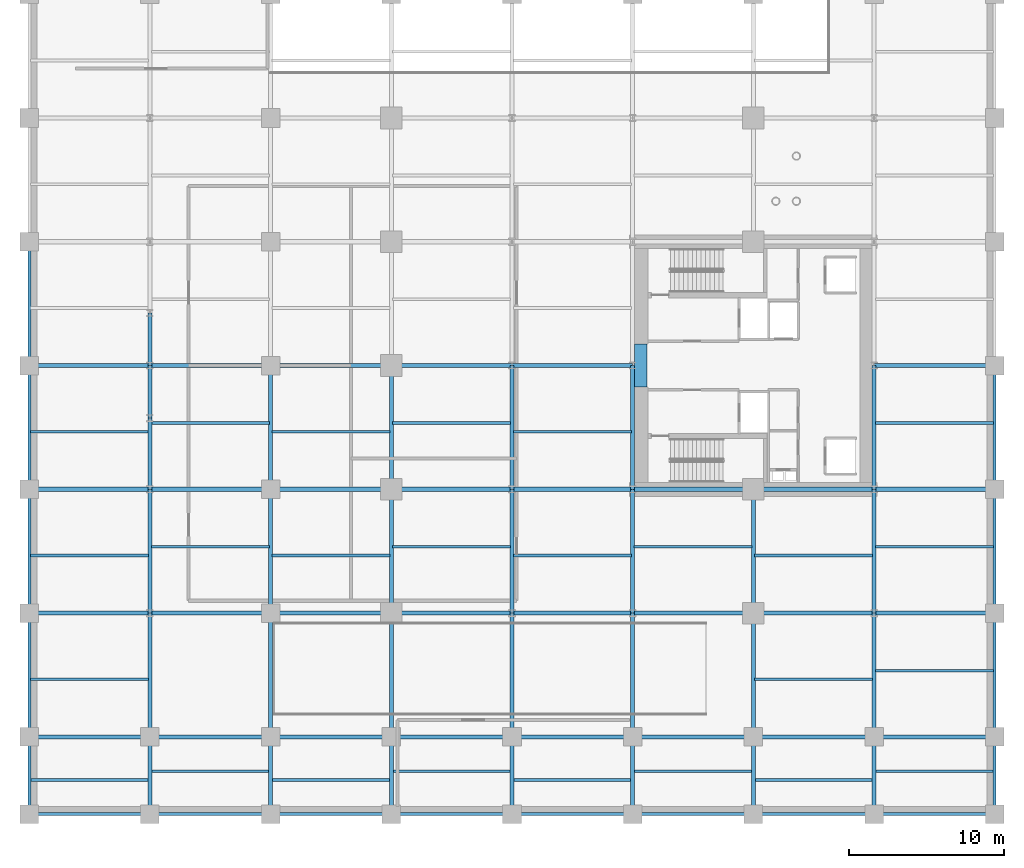
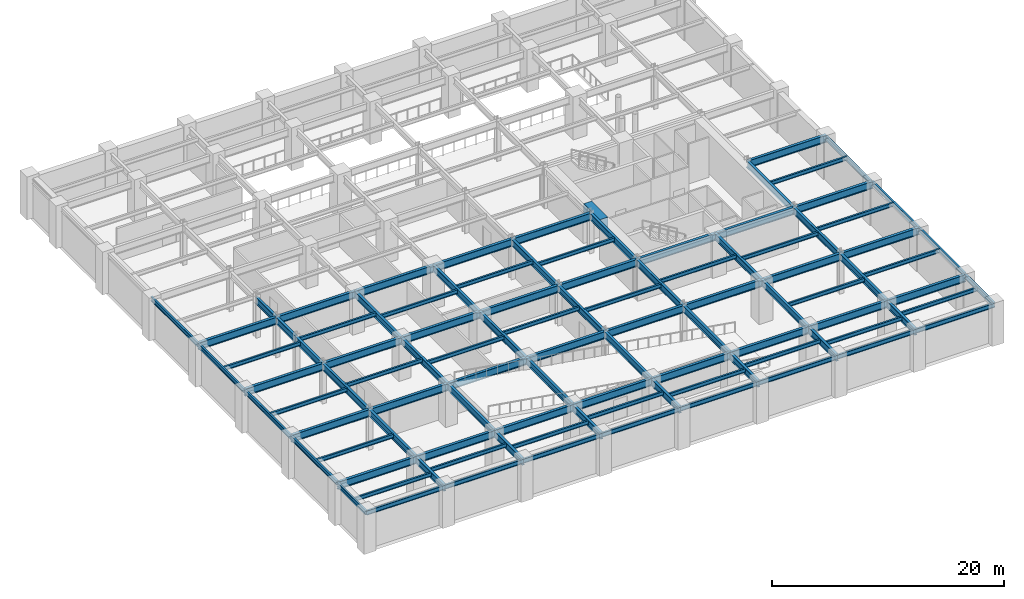
# One storey, part 3 of 10: 102 beams.
"""IFC4 building model written with IfcOpenShell, lengths in metres."""

from ifc_helpers import new_model, si_unit, direction, frame, origin, origin_2d, place, context, subcontext, project, spatial, rectangle, i_section, extrude, material, material_profile, profile_set, type_object, element, save


model = new_model("IFC4")

# Units and contexts
model_context = context("Model", 3, precision=1e-05, world=origin(), true_north=direction((0.0, 1.0)))
body_context = subcontext(model_context, "Body", "Model", "MODEL_VIEW")
ifc_project = project(units=[si_unit("LENGTHUNIT", "METRE"), si_unit("AREAUNIT", "SQUARE_METRE"), si_unit("VOLUMEUNIT", "CUBIC_METRE"), si_unit("PLANEANGLEUNIT", "RADIAN"), si_unit("MASSUNIT", "GRAM", prefix="KILO")], contexts=[model_context])

# Site, building, storey
site_placement = place(None, origin())
site = spatial("IfcSite", under=ifc_project, at=site_placement, CompositionType="ELEMENT")
building_placement = place(site_placement, origin())
building = spatial("IfcBuilding", under=site, at=building_placement, Name="Veymaron Broadcast Tower", CompositionType="ELEMENT")
storey_placement = place(building_placement, frame((0.0, 0.0, -4.5)))
storey = spatial("IfcBuildingStorey", under=building, at=storey_placement, Name="B1", CompositionType="ELEMENT", Elevation=-4.5)

# Beams
ifc_material_1 = material(Name="Concrete C70/85", Category="concrete")
ifc_material_profile_1 = material_profile(ifc_material_1, rectangle(XDim=0.800048828125, YDim=1.10009765625, at=origin_2d()), Name="RC800X1100")
ifc_profile_set_1 = profile_set([ifc_material_profile_1], Name="Concrete C70/85")
beam_type_1 = type_object("IfcBeamType", Name="BM-CB1", PredefinedType="LINTEL", material=ifc_profile_set_1)
beam_1_placement = place(storey_placement, frame((39.530029296875, 22.60009765625, 3.6298828125), z_axis=(0.0, 1.0, 0.0), x_axis=(-1.0, 0.0, 0.0)))
element("IfcBeam", 1, at=beam_1_placement, inside=storey, type_object=beam_type_1, Name="B1 Core Wall west coupling beam", PredefinedType="LINTEL", context=body_context, shape_type="SweptSolid", body=[
    extrude(rectangle(XDim=0.800048828125, YDim=1.10009765625, at=origin_2d()), origin(), (0.0, 0.0, 1.0), 2.7998046875),
])
ifc_material_2 = material(Name="Structural steel ASTM A992 Gr 50", Category="steel")
ifc_material_profile_2 = material_profile(ifc_material_2, i_section(OverallWidth=0.177978515625, OverallDepth=0.406982421875, WebThickness=0.0078125, FlangeThickness=0.0126953125, at=origin_2d()), Name="W410X60")
ifc_profile_set_2 = profile_set([ifc_material_profile_2], Name="Structural steel ASTM A992 Gr 50")
beam_type_2 = type_object("IfcBeamType", Name="BM-JS1", PredefinedType="JOIST", material=ifc_profile_set_2)
for number, where, z_axis, x_axis, name in (
    (2, (0.0849609375, -2.780029296875, 3.87646484375), (1.0, 0.0, 0.0), (0.0, 1.0, 0.0), "B1 podium secondary floor joist"),
    (3, (0.0849609375, 3.719970703125, 3.9765625), (1.0, 0.0, 0.0), (0.0, 1.0, 0.0), "B1 podium secondary floor joist"),
    (4, (0.0849609375, 11.719970703125, 3.9765625), (1.0, 0.0, 0.0), (0.0, 1.0, 0.0), "B1 podium secondary floor joist"),
    (5, (0.0849609375, 19.719970703125, 3.9765625), (1.0, 0.0, 0.0), (0.0, 1.0, 0.0), "B1 podium secondary floor joist"),
):
    element("IfcBeam", number, at=place(storey_placement, frame(where, z_axis=z_axis, x_axis=x_axis)), inside=storey, type_object=beam_type_2, Name=name, PredefinedType="JOIST", context=body_context, shape_type="SweptSolid", body=[
        extrude(i_section(OverallWidth=0.177978515625, OverallDepth=0.406982421875, WebThickness=0.0078125, FlangeThickness=0.0126953125, at=origin_2d()), origin(), (0.0, 0.0, 1.0), 7.630126953125),
    ])
for number, where, z_axis, x_axis, name in (
    (6, (7.885009765625, -2.219970703125, 3.87646484375), (1.0, 0.0, 0.0), (0.0, 1.0, 0.0), "B1 podium secondary floor joist"),
    (7, (7.885009765625, 12.280029296875, 3.9765625), (1.0, 0.0, 0.0), (0.0, 1.0, 0.0), "B1 podium secondary floor joist"),
    (8, (7.885009765625, 20.280029296875, 3.9765625), (1.0, 0.0, 0.0), (0.0, 1.0, 0.0), "B1 podium secondary floor joist"),
    (9, (15.68505859375, -2.780029296875, 3.87646484375), (1.0, 0.0, 0.0), (0.0, 1.0, 0.0), "B1 podium secondary floor joist"),
    (10, (15.68505859375, 11.719970703125, 3.9765625), (1.0, 0.0, 0.0), (0.0, 1.0, 0.0), "B1 podium secondary floor joist"),
    (11, (15.68505859375, 19.719970703125, 3.9765625), (1.0, 0.0, 0.0), (0.0, 1.0, 0.0), "B1 podium secondary floor joist"),
    (12, (23.485107421875, -2.219970703125, 3.87646484375), (1.0, 0.0, 0.0), (0.0, 1.0, 0.0), "B1 podium secondary floor joist"),
    (13, (23.485107421875, 12.280029296875, 3.9765625), (1.0, 0.0, 0.0), (0.0, 1.0, 0.0), "B1 podium secondary floor joist"),
    (14, (23.485107421875, 20.280029296875, 3.9765625), (1.0, 0.0, 0.0), (0.0, 1.0, 0.0), "B1 podium secondary floor joist"),
):
    element("IfcBeam", number, at=place(storey_placement, frame(where, z_axis=z_axis, x_axis=x_axis)), inside=storey, type_object=beam_type_2, Name=name, PredefinedType="JOIST", context=body_context, shape_type="SweptSolid", body=[
        extrude(i_section(OverallWidth=0.177978515625, OverallDepth=0.406982421875, WebThickness=0.0078125, FlangeThickness=0.0126953125, at=origin_2d()), origin(), (0.0, 0.0, 1.0), 7.6298828125),
    ])
for number, where, z_axis, x_axis, name in (
    (15, (31.284912109375, -2.780029296875, 3.87646484375), (1.0, 0.0, 0.0), (0.0, 1.0, 0.0), "B1 podium secondary floor joist"),
    (16, (31.284912109375, 11.719970703125, 3.9765625), (1.0, 0.0, 0.0), (0.0, 1.0, 0.0), "B1 podium secondary floor joist"),
    (17, (31.284912109375, 19.719970703125, 3.9765625), (1.0, 0.0, 0.0), (0.0, 1.0, 0.0), "B1 podium secondary floor joist"),
    (18, (39.0849609375, -2.219970703125, 3.87646484375), (1.0, 0.0, 0.0), (0.0, 1.0, 0.0), "B1 podium secondary floor joist"),
    (19, (39.0849609375, 12.280029296875, 3.9765625), (1.0, 0.0, 0.0), (0.0, 1.0, 0.0), "B1 podium secondary floor joist"),
):
    element("IfcBeam", number, at=place(storey_placement, frame(where, z_axis=z_axis, x_axis=x_axis)), inside=storey, type_object=beam_type_2, Name=name, PredefinedType="JOIST", context=body_context, shape_type="SweptSolid", body=[
        extrude(i_section(OverallWidth=0.177978515625, OverallDepth=0.406982421875, WebThickness=0.0078125, FlangeThickness=0.0126953125, at=origin_2d()), origin(), (0.0, 0.0, 1.0), 7.630126953125),
    ])
for number, where, z_axis, x_axis, name in (
    (20, (46.885009765625, -2.780029296875, 3.87646484375), (1.0, 0.0, 0.0), (0.0, 1.0, 0.0), "B1 podium secondary floor joist"),
    (21, (46.885009765625, 3.719970703125, 3.9765625), (1.0, 0.0, 0.0), (0.0, 1.0, 0.0), "B1 podium secondary floor joist"),
    (22, (46.885009765625, 11.719970703125, 3.9765625), (1.0, 0.0, 0.0), (0.0, 1.0, 0.0), "B1 podium secondary floor joist"),
    (23, (54.68505859375, -2.219970703125, 3.87646484375), (1.0, 0.0, 0.0), (0.0, 1.0, 0.0), "B1 podium secondary floor joist"),
    (24, (54.68505859375, 4.280029296875, 3.9765625), (1.0, 0.0, 0.0), (0.0, 1.0, 0.0), "B1 podium secondary floor joist"),
    (25, (54.68505859375, 12.280029296875, 3.9765625), (1.0, 0.0, 0.0), (0.0, 1.0, 0.0), "B1 podium secondary floor joist"),
    (26, (54.68505859375, 20.280029296875, 3.9765625), (1.0, 0.0, 0.0), (0.0, 1.0, 0.0), "B1 podium secondary floor joist"),
):
    element("IfcBeam", number, at=place(storey_placement, frame(where, z_axis=z_axis, x_axis=x_axis)), inside=storey, type_object=beam_type_2, Name=name, PredefinedType="JOIST", context=body_context, shape_type="SweptSolid", body=[
        extrude(i_section(OverallWidth=0.177978515625, OverallDepth=0.406982421875, WebThickness=0.0078125, FlangeThickness=0.0126953125, at=origin_2d()), origin(), (0.0, 0.0, 1.0), 7.6298828125),
    ])
ifc_material_profile_3 = material_profile(ifc_material_2, i_section(OverallWidth=0.26806640625, OverallDepth=0.77001953125, WebThickness=0.015625, FlangeThickness=0.025390625, at=origin_2d()), Name="W760X196")
ifc_profile_set_3 = profile_set([ifc_material_profile_3], Name="Structural steel ASTM A992 Gr 50")
beam_type_3 = type_object("IfcBeamType", Name="BM-PG1", PredefinedType="BEAM", material=ifc_profile_set_3)
for number, where, z_axis, x_axis, name in (
    (27, (0.0, 0.0, 3.695068359375), (1.0, 0.0, 0.0), (0.0, 1.0, 0.0), "B1 podium primary X-girder"),
    (28, (7.800048828125, 0.0, 3.695068359375), (1.0, 0.0, 0.0), (0.0, 1.0, 0.0), "B1 podium primary X-girder"),
):
    element("IfcBeam", number, at=place(storey_placement, frame(where, z_axis=z_axis, x_axis=x_axis)), inside=storey, type_object=beam_type_3, Name=name, PredefinedType="BEAM", context=body_context, shape_type="SweptSolid", body=[
        extrude(i_section(OverallWidth=0.26806640625, OverallDepth=0.77001953125, WebThickness=0.015625, FlangeThickness=0.025390625, at=origin_2d()), origin(), (0.0, 0.0, 1.0), 7.800048828125),
    ])
beam_2_placement = place(storey_placement, frame((15.60009765625, 0.0, 3.695068359375), z_axis=(1.0, 0.0, 0.0), x_axis=(0.0, 1.0, 0.0)))
element("IfcBeam", 29, at=beam_2_placement, inside=storey, type_object=beam_type_3, Name="B1 podium primary X-girder", PredefinedType="BEAM", context=body_context, shape_type="SweptSolid", body=[
    extrude(i_section(OverallWidth=0.26806640625, OverallDepth=0.77001953125, WebThickness=0.015625, FlangeThickness=0.025390625, at=origin_2d()), origin(), (0.0, 0.0, 1.0), 7.7998046875),
])
for number, where, z_axis, x_axis, name in (
    (30, (23.39990234375, 0.0, 3.695068359375), (1.0, 0.0, 0.0), (0.0, 1.0, 0.0), "B1 podium primary X-girder"),
    (31, (31.199951171875, 0.0, 3.695068359375), (1.0, 0.0, 0.0), (0.0, 1.0, 0.0), "B1 podium primary X-girder"),
    (32, (39.0, 0.0, 3.695068359375), (1.0, 0.0, 0.0), (0.0, 1.0, 0.0), "B1 podium primary X-girder"),
    (33, (46.800048828125, 0.0, 3.695068359375), (1.0, 0.0, 0.0), (0.0, 1.0, 0.0), "B1 podium primary X-girder"),
):
    element("IfcBeam", number, at=place(storey_placement, frame(where, z_axis=z_axis, x_axis=x_axis)), inside=storey, type_object=beam_type_3, Name=name, PredefinedType="BEAM", context=body_context, shape_type="SweptSolid", body=[
        extrude(i_section(OverallWidth=0.26806640625, OverallDepth=0.77001953125, WebThickness=0.015625, FlangeThickness=0.025390625, at=origin_2d()), origin(), (0.0, 0.0, 1.0), 7.800048828125),
    ])
beam_3_placement = place(storey_placement, frame((54.60009765625, 0.0, 3.695068359375), z_axis=(1.0, 0.0, 0.0), x_axis=(0.0, 1.0, 0.0)))
element("IfcBeam", 34, at=beam_3_placement, inside=storey, type_object=beam_type_3, Name="B1 podium primary X-girder", PredefinedType="BEAM", context=body_context, shape_type="SweptSolid", body=[
    extrude(i_section(OverallWidth=0.26806640625, OverallDepth=0.77001953125, WebThickness=0.015625, FlangeThickness=0.025390625, at=origin_2d()), origin(), (0.0, 0.0, 1.0), 7.7998046875),
])
for number, where, z_axis, x_axis, name in (
    (35, (0.0, 8.0, 3.794921875), (1.0, 0.0, 0.0), (0.0, 1.0, 0.0), "B1 podium primary X-girder"),
    (36, (7.800048828125, 8.0, 3.794921875), (1.0, 0.0, 0.0), (0.0, 1.0, 0.0), "B1 podium primary X-girder"),
):
    element("IfcBeam", number, at=place(storey_placement, frame(where, z_axis=z_axis, x_axis=x_axis)), inside=storey, type_object=beam_type_3, Name=name, PredefinedType="BEAM", context=body_context, shape_type="SweptSolid", body=[
        extrude(i_section(OverallWidth=0.26806640625, OverallDepth=0.77001953125, WebThickness=0.015625, FlangeThickness=0.025390625, at=origin_2d()), origin(), (0.0, 0.0, 1.0), 7.800048828125),
    ])
beam_4_placement = place(storey_placement, frame((15.60009765625, 8.0, 3.794921875), z_axis=(1.0, 0.0, 0.0), x_axis=(0.0, 1.0, 0.0)))
element("IfcBeam", 37, at=beam_4_placement, inside=storey, type_object=beam_type_3, Name="B1 podium primary X-girder", PredefinedType="BEAM", context=body_context, shape_type="SweptSolid", body=[
    extrude(i_section(OverallWidth=0.26806640625, OverallDepth=0.77001953125, WebThickness=0.015625, FlangeThickness=0.025390625, at=origin_2d()), origin(), (0.0, 0.0, 1.0), 7.7998046875),
])
for number, where, z_axis, x_axis, name in (
    (38, (23.39990234375, 8.0, 3.794921875), (1.0, 0.0, 0.0), (0.0, 1.0, 0.0), "B1 podium primary X-girder"),
    (39, (31.199951171875, 8.0, 3.794921875), (1.0, 0.0, 0.0), (0.0, 1.0, 0.0), "B1 podium primary X-girder"),
    (40, (39.0, 8.0, 3.794921875), (1.0, 0.0, 0.0), (0.0, 1.0, 0.0), "B1 podium primary X-girder"),
    (41, (46.800048828125, 8.0, 3.794921875), (1.0, 0.0, 0.0), (0.0, 1.0, 0.0), "B1 podium primary X-girder"),
):
    element("IfcBeam", number, at=place(storey_placement, frame(where, z_axis=z_axis, x_axis=x_axis)), inside=storey, type_object=beam_type_3, Name=name, PredefinedType="BEAM", context=body_context, shape_type="SweptSolid", body=[
        extrude(i_section(OverallWidth=0.26806640625, OverallDepth=0.77001953125, WebThickness=0.015625, FlangeThickness=0.025390625, at=origin_2d()), origin(), (0.0, 0.0, 1.0), 7.800048828125),
    ])
beam_5_placement = place(storey_placement, frame((54.60009765625, 8.0, 3.794921875), z_axis=(1.0, 0.0, 0.0), x_axis=(0.0, 1.0, 0.0)))
element("IfcBeam", 42, at=beam_5_placement, inside=storey, type_object=beam_type_3, Name="B1 podium primary X-girder", PredefinedType="BEAM", context=body_context, shape_type="SweptSolid", body=[
    extrude(i_section(OverallWidth=0.26806640625, OverallDepth=0.77001953125, WebThickness=0.015625, FlangeThickness=0.025390625, at=origin_2d()), origin(), (0.0, 0.0, 1.0), 7.7998046875),
])
for number, where, z_axis, x_axis, name in (
    (43, (0.0, 16.0, 3.794921875), (1.0, 0.0, 0.0), (0.0, 1.0, 0.0), "B1 podium primary X-girder"),
    (44, (7.800048828125, 16.0, 3.794921875), (1.0, 0.0, 0.0), (0.0, 1.0, 0.0), "B1 podium primary X-girder"),
):
    element("IfcBeam", number, at=place(storey_placement, frame(where, z_axis=z_axis, x_axis=x_axis)), inside=storey, type_object=beam_type_3, Name=name, PredefinedType="BEAM", context=body_context, shape_type="SweptSolid", body=[
        extrude(i_section(OverallWidth=0.26806640625, OverallDepth=0.77001953125, WebThickness=0.015625, FlangeThickness=0.025390625, at=origin_2d()), origin(), (0.0, 0.0, 1.0), 7.800048828125),
    ])
beam_6_placement = place(storey_placement, frame((15.60009765625, 16.0, 3.794921875), z_axis=(1.0, 0.0, 0.0), x_axis=(0.0, 1.0, 0.0)))
element("IfcBeam", 45, at=beam_6_placement, inside=storey, type_object=beam_type_3, Name="B1 podium primary X-girder", PredefinedType="BEAM", context=body_context, shape_type="SweptSolid", body=[
    extrude(i_section(OverallWidth=0.26806640625, OverallDepth=0.77001953125, WebThickness=0.015625, FlangeThickness=0.025390625, at=origin_2d()), origin(), (0.0, 0.0, 1.0), 7.7998046875),
])
for number, where, z_axis, x_axis, name in (
    (46, (23.39990234375, 16.0, 3.794921875), (1.0, 0.0, 0.0), (0.0, 1.0, 0.0), "B1 podium primary X-girder"),
    (47, (31.199951171875, 16.0, 3.794921875), (1.0, 0.0, 0.0), (0.0, 1.0, 0.0), "B1 podium primary X-girder"),
    (48, (39.0, 16.0, 3.794921875), (1.0, 0.0, 0.0), (0.0, 1.0, 0.0), "B1 podium primary X-girder"),
    (49, (46.800048828125, 16.0, 3.794921875), (1.0, 0.0, 0.0), (0.0, 1.0, 0.0), "B1 podium primary X-girder"),
):
    element("IfcBeam", number, at=place(storey_placement, frame(where, z_axis=z_axis, x_axis=x_axis)), inside=storey, type_object=beam_type_3, Name=name, PredefinedType="BEAM", context=body_context, shape_type="SweptSolid", body=[
        extrude(i_section(OverallWidth=0.26806640625, OverallDepth=0.77001953125, WebThickness=0.015625, FlangeThickness=0.025390625, at=origin_2d()), origin(), (0.0, 0.0, 1.0), 7.800048828125),
    ])
beam_7_placement = place(storey_placement, frame((54.60009765625, 16.0, 3.794921875), z_axis=(1.0, 0.0, 0.0), x_axis=(0.0, 1.0, 0.0)))
element("IfcBeam", 50, at=beam_7_placement, inside=storey, type_object=beam_type_3, Name="B1 podium primary X-girder", PredefinedType="BEAM", context=body_context, shape_type="SweptSolid", body=[
    extrude(i_section(OverallWidth=0.26806640625, OverallDepth=0.77001953125, WebThickness=0.015625, FlangeThickness=0.025390625, at=origin_2d()), origin(), (0.0, 0.0, 1.0), 7.7998046875),
])
for number, where, z_axis, x_axis, name in (
    (51, (0.0, 24.0, 3.794921875), (1.0, 0.0, 0.0), (0.0, 1.0, 0.0), "B1 podium primary X-girder"),
    (52, (7.800048828125, 24.0, 3.794921875), (1.0, 0.0, 0.0), (0.0, 1.0, 0.0), "B1 podium primary X-girder"),
):
    element("IfcBeam", number, at=place(storey_placement, frame(where, z_axis=z_axis, x_axis=x_axis)), inside=storey, type_object=beam_type_3, Name=name, PredefinedType="BEAM", context=body_context, shape_type="SweptSolid", body=[
        extrude(i_section(OverallWidth=0.26806640625, OverallDepth=0.77001953125, WebThickness=0.015625, FlangeThickness=0.025390625, at=origin_2d()), origin(), (0.0, 0.0, 1.0), 7.800048828125),
    ])
beam_8_placement = place(storey_placement, frame((15.60009765625, 24.0, 3.794921875), z_axis=(1.0, 0.0, 0.0), x_axis=(0.0, 1.0, 0.0)))
element("IfcBeam", 53, at=beam_8_placement, inside=storey, type_object=beam_type_3, Name="B1 podium primary X-girder", PredefinedType="BEAM", context=body_context, shape_type="SweptSolid", body=[
    extrude(i_section(OverallWidth=0.26806640625, OverallDepth=0.77001953125, WebThickness=0.015625, FlangeThickness=0.025390625, at=origin_2d()), origin(), (0.0, 0.0, 1.0), 7.7998046875),
])
for number, where, z_axis, x_axis, name in (
    (54, (23.39990234375, 24.0, 3.794921875), (1.0, 0.0, 0.0), (0.0, 1.0, 0.0), "B1 podium primary X-girder"),
    (55, (31.199951171875, 24.0, 3.794921875), (1.0, 0.0, 0.0), (0.0, 1.0, 0.0), "B1 podium primary X-girder"),
):
    element("IfcBeam", number, at=place(storey_placement, frame(where, z_axis=z_axis, x_axis=x_axis)), inside=storey, type_object=beam_type_3, Name=name, PredefinedType="BEAM", context=body_context, shape_type="SweptSolid", body=[
        extrude(i_section(OverallWidth=0.26806640625, OverallDepth=0.77001953125, WebThickness=0.015625, FlangeThickness=0.025390625, at=origin_2d()), origin(), (0.0, 0.0, 1.0), 7.800048828125),
    ])
beam_9_placement = place(storey_placement, frame((54.60009765625, 24.0, 3.794921875), z_axis=(1.0, 0.0, 0.0), x_axis=(0.0, 1.0, 0.0)))
element("IfcBeam", 56, at=beam_9_placement, inside=storey, type_object=beam_type_3, Name="B1 podium primary X-girder", PredefinedType="BEAM", context=body_context, shape_type="SweptSolid", body=[
    extrude(i_section(OverallWidth=0.26806640625, OverallDepth=0.77001953125, WebThickness=0.015625, FlangeThickness=0.025390625, at=origin_2d()), origin(), (0.0, 0.0, 1.0), 7.7998046875),
])
ifc_material_profile_4 = material_profile(ifc_material_2, i_section(OverallWidth=0.256103515625, OverallDepth=0.693115234375, WebThickness=0.014404296875, FlangeThickness=0.023681640625, at=origin_2d()), Name="W690X170")
ifc_profile_set_4 = profile_set([ifc_material_profile_4], Name="Structural steel ASTM A992 Gr 50")
beam_type_4 = type_object("IfcBeamType", Name="BM-PG2", PredefinedType="BEAM", material=ifc_profile_set_4)
beam_10_placement = place(storey_placement, frame((7.800048828125, -5.0, 3.7333984375), z_axis=(0.0, 1.0, 0.0), x_axis=(-1.0, 0.0, 0.0)))
element("IfcBeam", 57, at=beam_10_placement, inside=storey, type_object=beam_type_4, Name="B1 podium primary Y-girder", PredefinedType="BEAM", context=body_context, shape_type="SweptSolid", body=[
    extrude(i_section(OverallWidth=0.256103515625, OverallDepth=0.693115234375, WebThickness=0.014404296875, FlangeThickness=0.023681640625, at=origin_2d()), origin(), (0.0, 0.0, 1.0), 5.0),
])
for number, where, z_axis, x_axis, name in (
    (58, (7.800048828125, 0.0, 3.83349609375), (0.0, 1.0, 0.0), (-1.0, 0.0, 0.0), "B1 podium primary Y-girder"),
    (59, (7.800048828125, 8.0, 3.83349609375), (0.0, 1.0, 0.0), (-1.0, 0.0, 0.0), "B1 podium primary Y-girder"),
):
    element("IfcBeam", number, at=place(storey_placement, frame(where, z_axis=z_axis, x_axis=x_axis)), inside=storey, type_object=beam_type_4, Name=name, PredefinedType="BEAM", context=body_context, shape_type="SweptSolid", body=[
        extrude(i_section(OverallWidth=0.256103515625, OverallDepth=0.693115234375, WebThickness=0.014404296875, FlangeThickness=0.023681640625, at=origin_2d()), origin(), (0.0, 0.0, 1.0), 8.0),
    ])
beam_11_placement = place(storey_placement, frame((7.800048828125, 16.0, 3.83349609375), z_axis=(0.0, 1.0, 0.0), x_axis=(-1.0, 0.0, 0.0)))
element("IfcBeam", 60, at=beam_11_placement, inside=storey, type_object=beam_type_4, Name="B1 podium primary Y-girder", PredefinedType="BEAM", context=body_context, shape_type="SweptSolid", body=[
    extrude(i_section(OverallWidth=0.256103515625, OverallDepth=0.693115234375, WebThickness=0.014404296875, FlangeThickness=0.023681640625, at=origin_2d()), origin(), (0.0, 0.0, 1.0), 4.60009765625),
])
for number, where, z_axis, x_axis, name in (
    (61, (7.800048828125, 20.60009765625, 3.83349609375), (0.0, 1.0, 0.0), (-1.0, 0.0, 0.0), "B1 podium primary Y-girder"),
    (62, (7.800048828125, 24.0, 3.83349609375), (0.0, 1.0, 0.0), (-1.0, 0.0, 0.0), "B1 podium primary Y-girder"),
):
    element("IfcBeam", number, at=place(storey_placement, frame(where, z_axis=z_axis, x_axis=x_axis)), inside=storey, type_object=beam_type_4, Name=name, PredefinedType="BEAM", context=body_context, shape_type="SweptSolid", body=[
        extrude(i_section(OverallWidth=0.256103515625, OverallDepth=0.693115234375, WebThickness=0.014404296875, FlangeThickness=0.023681640625, at=origin_2d()), origin(), (0.0, 0.0, 1.0), 3.39990234375),
    ])
beam_12_placement = place(storey_placement, frame((15.60009765625, -5.0, 3.7333984375), z_axis=(0.0, 1.0, 0.0), x_axis=(-1.0, 0.0, 0.0)))
element("IfcBeam", 63, at=beam_12_placement, inside=storey, type_object=beam_type_4, Name="B1 podium primary Y-girder", PredefinedType="BEAM", context=body_context, shape_type="SweptSolid", body=[
    extrude(i_section(OverallWidth=0.256103515625, OverallDepth=0.693115234375, WebThickness=0.014404296875, FlangeThickness=0.023681640625, at=origin_2d()), origin(), (0.0, 0.0, 1.0), 5.0),
])
for number, where, z_axis, x_axis, name in (
    (64, (15.60009765625, 0.0, 3.83349609375), (0.0, 1.0, 0.0), (-1.0, 0.0, 0.0), "B1 podium primary Y-girder"),
    (65, (15.60009765625, 8.0, 3.83349609375), (0.0, 1.0, 0.0), (-1.0, 0.0, 0.0), "B1 podium primary Y-girder"),
    (66, (15.60009765625, 16.0, 3.83349609375), (0.0, 1.0, 0.0), (-1.0, 0.0, 0.0), "B1 podium primary Y-girder"),
):
    element("IfcBeam", number, at=place(storey_placement, frame(where, z_axis=z_axis, x_axis=x_axis)), inside=storey, type_object=beam_type_4, Name=name, PredefinedType="BEAM", context=body_context, shape_type="SweptSolid", body=[
        extrude(i_section(OverallWidth=0.256103515625, OverallDepth=0.693115234375, WebThickness=0.014404296875, FlangeThickness=0.023681640625, at=origin_2d()), origin(), (0.0, 0.0, 1.0), 8.0),
    ])
beam_13_placement = place(storey_placement, frame((23.39990234375, -5.0, 3.7333984375), z_axis=(0.0, 1.0, 0.0), x_axis=(-1.0, 0.0, 0.0)))
element("IfcBeam", 67, at=beam_13_placement, inside=storey, type_object=beam_type_4, Name="B1 podium primary Y-girder", PredefinedType="BEAM", context=body_context, shape_type="SweptSolid", body=[
    extrude(i_section(OverallWidth=0.256103515625, OverallDepth=0.693115234375, WebThickness=0.014404296875, FlangeThickness=0.023681640625, at=origin_2d()), origin(), (0.0, 0.0, 1.0), 5.0),
])
for number, where, z_axis, x_axis, name in (
    (68, (23.39990234375, 0.0, 3.83349609375), (0.0, 1.0, 0.0), (-1.0, 0.0, 0.0), "B1 podium primary Y-girder"),
    (69, (23.39990234375, 8.0, 3.83349609375), (0.0, 1.0, 0.0), (-1.0, 0.0, 0.0), "B1 podium primary Y-girder"),
    (70, (23.39990234375, 16.0, 3.83349609375), (0.0, 1.0, 0.0), (-1.0, 0.0, 0.0), "B1 podium primary Y-girder"),
):
    element("IfcBeam", number, at=place(storey_placement, frame(where, z_axis=z_axis, x_axis=x_axis)), inside=storey, type_object=beam_type_4, Name=name, PredefinedType="BEAM", context=body_context, shape_type="SweptSolid", body=[
        extrude(i_section(OverallWidth=0.256103515625, OverallDepth=0.693115234375, WebThickness=0.014404296875, FlangeThickness=0.023681640625, at=origin_2d()), origin(), (0.0, 0.0, 1.0), 8.0),
    ])
beam_14_placement = place(storey_placement, frame((31.199951171875, -5.0, 3.7333984375), z_axis=(0.0, 1.0, 0.0), x_axis=(-1.0, 0.0, 0.0)))
element("IfcBeam", 71, at=beam_14_placement, inside=storey, type_object=beam_type_4, Name="B1 podium primary Y-girder", PredefinedType="BEAM", context=body_context, shape_type="SweptSolid", body=[
    extrude(i_section(OverallWidth=0.256103515625, OverallDepth=0.693115234375, WebThickness=0.014404296875, FlangeThickness=0.023681640625, at=origin_2d()), origin(), (0.0, 0.0, 1.0), 5.0),
])
for number, where, z_axis, x_axis, name in (
    (72, (31.199951171875, 0.0, 3.83349609375), (0.0, 1.0, 0.0), (-1.0, 0.0, 0.0), "B1 podium primary Y-girder"),
    (73, (31.199951171875, 8.0, 3.83349609375), (0.0, 1.0, 0.0), (-1.0, 0.0, 0.0), "B1 podium primary Y-girder"),
    (74, (31.199951171875, 16.0, 3.83349609375), (0.0, 1.0, 0.0), (-1.0, 0.0, 0.0), "B1 podium primary Y-girder"),
):
    element("IfcBeam", number, at=place(storey_placement, frame(where, z_axis=z_axis, x_axis=x_axis)), inside=storey, type_object=beam_type_4, Name=name, PredefinedType="BEAM", context=body_context, shape_type="SweptSolid", body=[
        extrude(i_section(OverallWidth=0.256103515625, OverallDepth=0.693115234375, WebThickness=0.014404296875, FlangeThickness=0.023681640625, at=origin_2d()), origin(), (0.0, 0.0, 1.0), 8.0),
    ])
beam_15_placement = place(storey_placement, frame((39.0, -5.0, 3.7333984375), z_axis=(0.0, 1.0, 0.0), x_axis=(-1.0, 0.0, 0.0)))
element("IfcBeam", 75, at=beam_15_placement, inside=storey, type_object=beam_type_4, Name="B1 podium primary Y-girder", PredefinedType="BEAM", context=body_context, shape_type="SweptSolid", body=[
    extrude(i_section(OverallWidth=0.256103515625, OverallDepth=0.693115234375, WebThickness=0.014404296875, FlangeThickness=0.023681640625, at=origin_2d()), origin(), (0.0, 0.0, 1.0), 5.0),
])
for number, where, z_axis, x_axis, name in (
    (76, (39.0, 0.0, 3.83349609375), (0.0, 1.0, 0.0), (-1.0, 0.0, 0.0), "B1 podium primary Y-girder"),
    (77, (39.0, 8.0, 3.83349609375), (0.0, 1.0, 0.0), (-1.0, 0.0, 0.0), "B1 podium primary Y-girder"),
    (78, (39.0, 16.0, 3.83349609375), (0.0, 1.0, 0.0), (-1.0, 0.0, 0.0), "B1 podium primary Y-girder"),
):
    element("IfcBeam", number, at=place(storey_placement, frame(where, z_axis=z_axis, x_axis=x_axis)), inside=storey, type_object=beam_type_4, Name=name, PredefinedType="BEAM", context=body_context, shape_type="SweptSolid", body=[
        extrude(i_section(OverallWidth=0.256103515625, OverallDepth=0.693115234375, WebThickness=0.014404296875, FlangeThickness=0.023681640625, at=origin_2d()), origin(), (0.0, 0.0, 1.0), 8.0),
    ])
beam_16_placement = place(storey_placement, frame((46.800048828125, -5.0, 3.7333984375), z_axis=(0.0, 1.0, 0.0), x_axis=(-1.0, 0.0, 0.0)))
element("IfcBeam", 79, at=beam_16_placement, inside=storey, type_object=beam_type_4, Name="B1 podium primary Y-girder", PredefinedType="BEAM", context=body_context, shape_type="SweptSolid", body=[
    extrude(i_section(OverallWidth=0.256103515625, OverallDepth=0.693115234375, WebThickness=0.014404296875, FlangeThickness=0.023681640625, at=origin_2d()), origin(), (0.0, 0.0, 1.0), 5.0),
])
for number, where, z_axis, x_axis, name in (
    (80, (46.800048828125, 0.0, 3.83349609375), (0.0, 1.0, 0.0), (-1.0, 0.0, 0.0), "B1 podium primary Y-girder"),
    (81, (46.800048828125, 8.0, 3.83349609375), (0.0, 1.0, 0.0), (-1.0, 0.0, 0.0), "B1 podium primary Y-girder"),
):
    element("IfcBeam", number, at=place(storey_placement, frame(where, z_axis=z_axis, x_axis=x_axis)), inside=storey, type_object=beam_type_4, Name=name, PredefinedType="BEAM", context=body_context, shape_type="SweptSolid", body=[
        extrude(i_section(OverallWidth=0.256103515625, OverallDepth=0.693115234375, WebThickness=0.014404296875, FlangeThickness=0.023681640625, at=origin_2d()), origin(), (0.0, 0.0, 1.0), 8.0),
    ])
beam_17_placement = place(storey_placement, frame((54.60009765625, -5.0, 3.7333984375), z_axis=(0.0, 1.0, 0.0), x_axis=(-1.0, 0.0, 0.0)))
element("IfcBeam", 82, at=beam_17_placement, inside=storey, type_object=beam_type_4, Name="B1 podium primary Y-girder", PredefinedType="BEAM", context=body_context, shape_type="SweptSolid", body=[
    extrude(i_section(OverallWidth=0.256103515625, OverallDepth=0.693115234375, WebThickness=0.014404296875, FlangeThickness=0.023681640625, at=origin_2d()), origin(), (0.0, 0.0, 1.0), 5.0),
])
for number, where, z_axis, x_axis, name in (
    (83, (54.60009765625, 0.0, 3.83349609375), (0.0, 1.0, 0.0), (-1.0, 0.0, 0.0), "B1 podium primary Y-girder"),
    (84, (54.60009765625, 8.0, 3.83349609375), (0.0, 1.0, 0.0), (-1.0, 0.0, 0.0), "B1 podium primary Y-girder"),
    (85, (54.60009765625, 16.0, 3.83349609375), (0.0, 1.0, 0.0), (-1.0, 0.0, 0.0), "B1 podium primary Y-girder"),
):
    element("IfcBeam", number, at=place(storey_placement, frame(where, z_axis=z_axis, x_axis=x_axis)), inside=storey, type_object=beam_type_4, Name=name, PredefinedType="BEAM", context=body_context, shape_type="SweptSolid", body=[
        extrude(i_section(OverallWidth=0.256103515625, OverallDepth=0.693115234375, WebThickness=0.014404296875, FlangeThickness=0.023681640625, at=origin_2d()), origin(), (0.0, 0.0, 1.0), 8.0),
    ])
ifc_material_profile_5 = material_profile(ifc_material_2, i_section(OverallWidth=0.19091796875, OverallDepth=0.4599609375, WebThickness=0.010009765625, FlangeThickness=0.01611328125, at=origin_2d()), Name="W460X82")
ifc_profile_set_5 = profile_set([ifc_material_profile_5], Name="Structural steel ASTM A992 Gr 50")
beam_type_5 = type_object("IfcBeamType", Name="BM-SP1", PredefinedType="SPANDREL", material=ifc_profile_set_5)
for number, where, z_axis, x_axis, name in (
    (86, (0.0, -5.0, 3.85009765625), (1.0, 0.0, 0.0), (0.0, 1.0, 0.0), "B1 podium primary X-girder"),
    (87, (7.800048828125, -5.0, 3.85009765625), (1.0, 0.0, 0.0), (0.0, 1.0, 0.0), "B1 podium primary X-girder"),
):
    element("IfcBeam", number, at=place(storey_placement, frame(where, z_axis=z_axis, x_axis=x_axis)), inside=storey, type_object=beam_type_5, Name=name, PredefinedType="SPANDREL", context=body_context, shape_type="SweptSolid", body=[
        extrude(i_section(OverallWidth=0.19091796875, OverallDepth=0.4599609375, WebThickness=0.010009765625, FlangeThickness=0.01611328125, at=origin_2d()), origin(), (0.0, 0.0, 1.0), 7.800048828125),
    ])
beam_18_placement = place(storey_placement, frame((15.60009765625, -5.0, 3.85009765625), z_axis=(1.0, 0.0, 0.0), x_axis=(0.0, 1.0, 0.0)))
element("IfcBeam", 88, at=beam_18_placement, inside=storey, type_object=beam_type_5, Name="B1 podium primary X-girder", PredefinedType="SPANDREL", context=body_context, shape_type="SweptSolid", body=[
    extrude(i_section(OverallWidth=0.19091796875, OverallDepth=0.4599609375, WebThickness=0.010009765625, FlangeThickness=0.01611328125, at=origin_2d()), origin(), (0.0, 0.0, 1.0), 7.7998046875),
])
for number, where, z_axis, x_axis, name in (
    (89, (23.39990234375, -5.0, 3.85009765625), (1.0, 0.0, 0.0), (0.0, 1.0, 0.0), "B1 podium primary X-girder"),
    (90, (31.199951171875, -5.0, 3.85009765625), (1.0, 0.0, 0.0), (0.0, 1.0, 0.0), "B1 podium primary X-girder"),
    (91, (39.0, -5.0, 3.85009765625), (1.0, 0.0, 0.0), (0.0, 1.0, 0.0), "B1 podium primary X-girder"),
    (92, (46.800048828125, -5.0, 3.85009765625), (1.0, 0.0, 0.0), (0.0, 1.0, 0.0), "B1 podium primary X-girder"),
):
    element("IfcBeam", number, at=place(storey_placement, frame(where, z_axis=z_axis, x_axis=x_axis)), inside=storey, type_object=beam_type_5, Name=name, PredefinedType="SPANDREL", context=body_context, shape_type="SweptSolid", body=[
        extrude(i_section(OverallWidth=0.19091796875, OverallDepth=0.4599609375, WebThickness=0.010009765625, FlangeThickness=0.01611328125, at=origin_2d()), origin(), (0.0, 0.0, 1.0), 7.800048828125),
    ])
beam_19_placement = place(storey_placement, frame((54.60009765625, -5.0, 3.85009765625), z_axis=(1.0, 0.0, 0.0), x_axis=(0.0, 1.0, 0.0)))
element("IfcBeam", 93, at=beam_19_placement, inside=storey, type_object=beam_type_5, Name="B1 podium primary X-girder", PredefinedType="SPANDREL", context=body_context, shape_type="SweptSolid", body=[
    extrude(i_section(OverallWidth=0.19091796875, OverallDepth=0.4599609375, WebThickness=0.010009765625, FlangeThickness=0.01611328125, at=origin_2d()), origin(), (0.0, 0.0, 1.0), 7.7998046875),
])
beam_20_placement = place(storey_placement, frame((0.0, -5.0, 3.85009765625), z_axis=(0.0, 1.0, 0.0), x_axis=(-1.0, 0.0, 0.0)))
element("IfcBeam", 94, at=beam_20_placement, inside=storey, type_object=beam_type_5, Name="B1 podium primary Y-girder", PredefinedType="SPANDREL", context=body_context, shape_type="SweptSolid", body=[
    extrude(i_section(OverallWidth=0.19091796875, OverallDepth=0.4599609375, WebThickness=0.010009765625, FlangeThickness=0.01611328125, at=origin_2d()), origin(), (0.0, 0.0, 1.0), 5.0),
])
for number, where, z_axis, x_axis, name in (
    (95, (0.0, 0.0, 3.949951171875), (0.0, 1.0, 0.0), (-1.0, 0.0, 0.0), "B1 podium primary Y-girder"),
    (96, (0.0, 8.0, 3.949951171875), (0.0, 1.0, 0.0), (-1.0, 0.0, 0.0), "B1 podium primary Y-girder"),
    (97, (0.0, 16.0, 3.949951171875), (0.0, 1.0, 0.0), (-1.0, 0.0, 0.0), "B1 podium primary Y-girder"),
    (98, (0.0, 24.0, 3.949951171875), (0.0, 1.0, 0.0), (-1.0, 0.0, 0.0), "B1 podium primary Y-girder"),
):
    element("IfcBeam", number, at=place(storey_placement, frame(where, z_axis=z_axis, x_axis=x_axis)), inside=storey, type_object=beam_type_5, Name=name, PredefinedType="SPANDREL", context=body_context, shape_type="SweptSolid", body=[
        extrude(i_section(OverallWidth=0.19091796875, OverallDepth=0.4599609375, WebThickness=0.010009765625, FlangeThickness=0.01611328125, at=origin_2d()), origin(), (0.0, 0.0, 1.0), 8.0),
    ])
beam_21_placement = place(storey_placement, frame((62.39990234375, -5.0, 3.85009765625), z_axis=(0.0, 1.0, 0.0), x_axis=(-1.0, 0.0, 0.0)))
element("IfcBeam", 99, at=beam_21_placement, inside=storey, type_object=beam_type_5, Name="B1 podium primary Y-girder", PredefinedType="SPANDREL", context=body_context, shape_type="SweptSolid", body=[
    extrude(i_section(OverallWidth=0.19091796875, OverallDepth=0.4599609375, WebThickness=0.010009765625, FlangeThickness=0.01611328125, at=origin_2d()), origin(), (0.0, 0.0, 1.0), 5.0),
])
for number, where, z_axis, x_axis, name in (
    (100, (62.39990234375, 0.0, 3.949951171875), (0.0, 1.0, 0.0), (-1.0, 0.0, 0.0), "B1 podium primary Y-girder"),
    (101, (62.39990234375, 8.0, 3.949951171875), (0.0, 1.0, 0.0), (-1.0, 0.0, 0.0), "B1 podium primary Y-girder"),
    (102, (62.39990234375, 16.0, 3.85009765625), (0.0, 1.0, 0.0), (-1.0, 0.0, 0.0), "B1 podium primary Y-girder"),
):
    element("IfcBeam", number, at=place(storey_placement, frame(where, z_axis=z_axis, x_axis=x_axis)), inside=storey, type_object=beam_type_5, Name=name, PredefinedType="SPANDREL", context=body_context, shape_type="SweptSolid", body=[
        extrude(i_section(OverallWidth=0.19091796875, OverallDepth=0.4599609375, WebThickness=0.010009765625, FlangeThickness=0.01611328125, at=origin_2d()), origin(), (0.0, 0.0, 1.0), 8.0),
    ])

save(model, "model.ifc")
